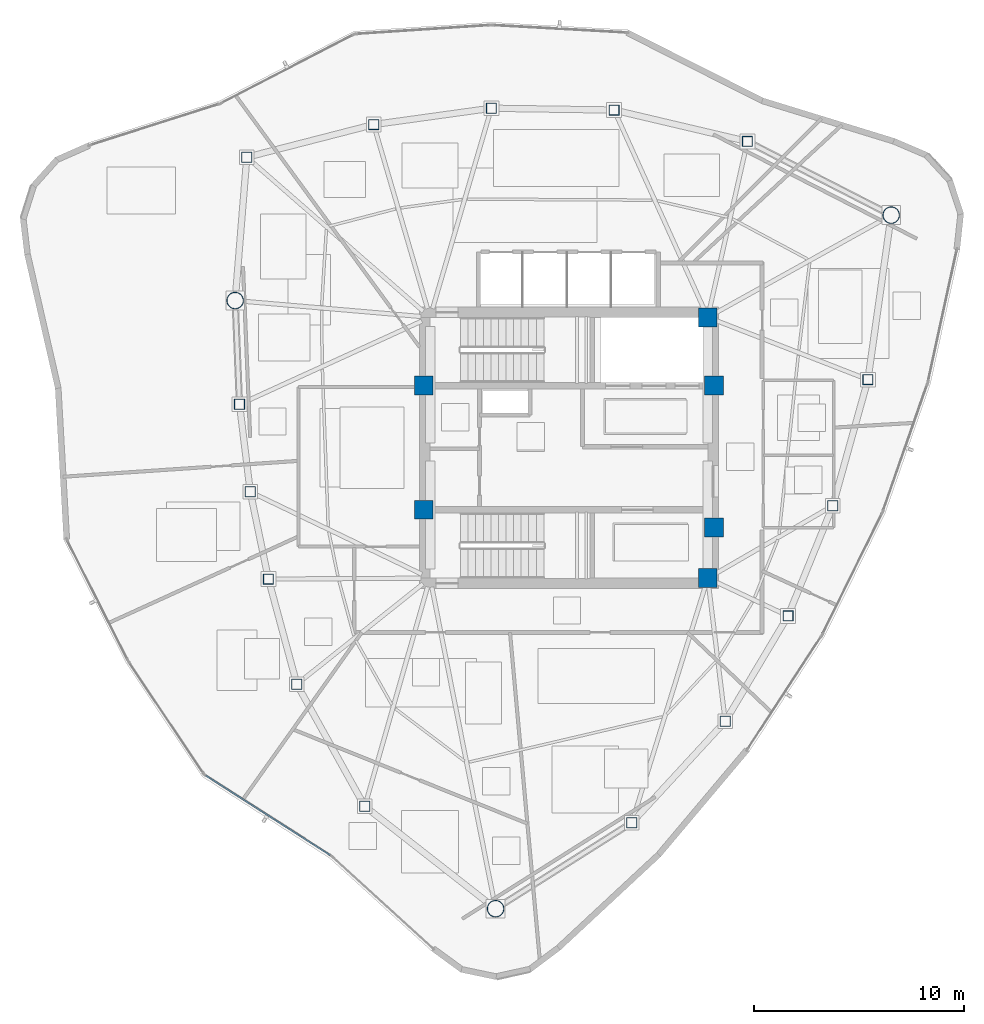
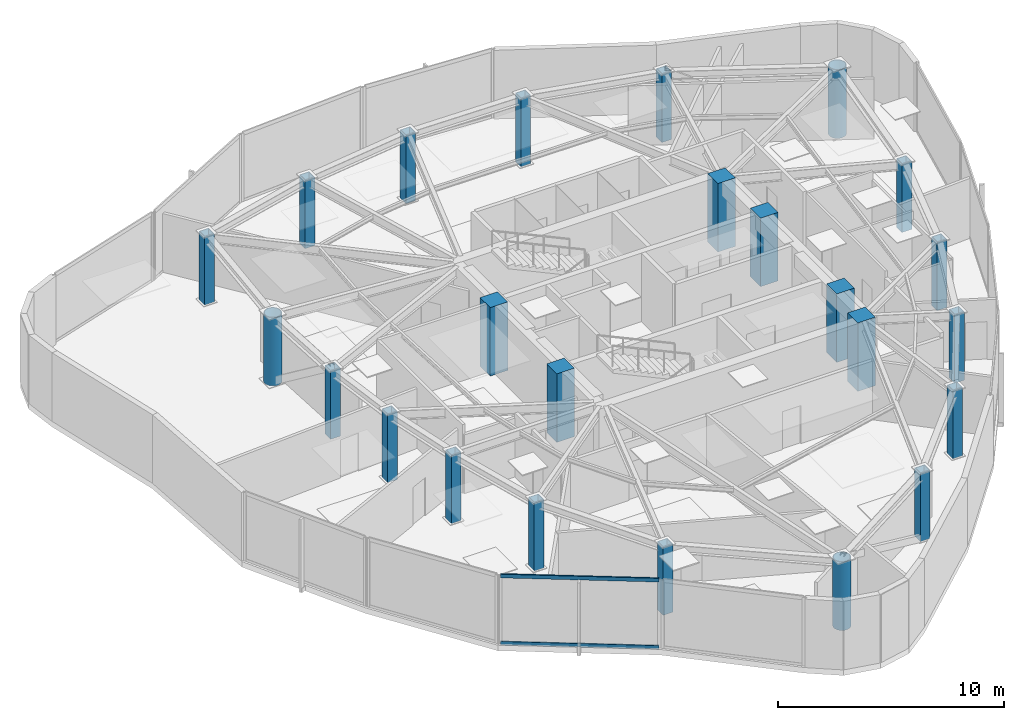
# One storey, part 1 of 13: 24 columns, 2 members, 1 element without a shape of its own.
"""IFC4 building model written with IfcOpenShell, lengths in metres."""

from ifc_helpers import new_model, si_unit, direction, frame, origin, origin_2d, place, context, subcontext, project, spatial, rectangle, hollow_rectangle, hollow_circle, extrude, source, transform, mapped, material, layer, layer_set, material_profile, profile_set, type_object, type_shapes, element, aggregate, save


model = new_model("IFC4")

# Units and contexts
model_context = context("Model", 3, precision=1e-05, world=origin(), true_north=direction((0.0, 1.0)))
body_context = subcontext(model_context, "Body", "Model", "MODEL_VIEW")
ifc_project = project(units=[si_unit("LENGTHUNIT", "METRE"), si_unit("AREAUNIT", "SQUARE_METRE"), si_unit("VOLUMEUNIT", "CUBIC_METRE"), si_unit("PLANEANGLEUNIT", "RADIAN"), si_unit("MASSUNIT", "GRAM", prefix="KILO")], contexts=[model_context])

# Site, building, storey
site_placement = place(None, origin())
site = spatial("IfcSite", under=ifc_project, at=site_placement, CompositionType="ELEMENT")
building_placement = place(site_placement, origin())
building = spatial("IfcBuilding", under=site, at=building_placement, Name="Tavelor Broadcast Tower", CompositionType="ELEMENT")
storey_placement = place(building_placement, frame((0.0, 0.0, 297.5)))
storey = spatial("IfcBuildingStorey", under=building, at=storey_placement, Name="L71", CompositionType="ELEMENT", Elevation=297.5)

# Columns
ifc_material_1 = material(Name="Concrete C50/60", Category="concrete")
ifc_material_profile_1 = material_profile(ifc_material_1, rectangle(XDim=0.89990234375, YDim=0.89990234375, at=origin_2d()), Name="RC 900x900")
ifc_profile_set_1 = profile_set([ifc_material_profile_1], Name="Concrete C50/60")
column_type_1 = type_object("IfcColumnType", Name="Core Embedded Composite Column RC900", PredefinedType="COLUMN", material=ifc_profile_set_1)
for number, where, z_axis, x_axis, name in (
    (1, (43.10009765625, 47.949951171875, 0.0), (0.0, 0.0, 1.0), (1.0, 0.0, 0.0), "L71 Core Embedded Column 1"),
    (2, (56.89990234375, 47.949951171875, 0.0), (0.0, 0.0, 1.0), (1.0, 0.0, 0.0), "L71 Core Embedded Column 2"),
    (3, (56.60009765625, 51.199951171875, 0.0), (0.0, 0.0, 1.0), (1.0, 0.0, 0.0), "L71 Core Embedded Column 3"),
    (4, (43.10009765625, 42.050048828125, 0.0), (0.0, 0.0, 1.0), (1.0, 0.0, 0.0), "L71 Core Embedded Column 4"),
    (5, (56.89990234375, 41.199951171875, 0.0), (0.0, 0.0, 1.0), (1.0, 0.0, 0.0), "L71 Core Embedded Column 5"),
    (6, (56.60009765625, 38.800048828125, 0.0), (0.0, 0.0, 1.0), (1.0, 0.0, 0.0), "L71 Core Embedded Column 6"),
):
    element("IfcColumn", number, at=place(storey_placement, frame(where, z_axis=z_axis, x_axis=x_axis)), inside=storey, type_object=column_type_1, Name=name, PredefinedType="COLUMN", context=body_context, shape_type="SweptSolid", body=[
        extrude(rectangle(XDim=0.89990234375, YDim=0.89990234375, at=origin_2d()), origin(), (0.0, 0.0, 1.0), 3.699951171875),
    ])
ifc_material_2 = material(Name="Steel S460", Category="steel")
ifc_material_profile_2 = material_profile(ifc_material_2, hollow_rectangle(XDim=0.5, YDim=0.5, WallThickness=0.030029296875, at=origin_2d()), Name="SHS 500x500x30")
ifc_profile_set_2 = profile_set([ifc_material_profile_2], Name="Steel S460")
column_type_2 = type_object("IfcColumnType", Name="Perimeter Tube Column T7 SHS 500x500x30", PredefinedType="COLUMN", material=ifc_profile_set_2)
for number, where, z_axis, x_axis, name in (
    (7, (34.341552734375, 47.061279296875, 0.0), (0.0, 0.0, 1.0), (1.0, 0.0, 0.0), "L71 Perimeter Framed-Tube Column 02"),
    (8, (34.85400390625, 42.90185546875, 0.0), (0.0, 0.0, 1.0), (1.0, 0.0, 0.0), "L71 Perimeter Framed-Tube Column 03"),
    (9, (35.716552734375, 38.757080078125, 0.0), (0.0, 0.0, 1.0), (1.0, 0.0, 0.0), "L71 Perimeter Framed-Tube Column 04"),
    (10, (37.068115234375, 33.759521484375, 0.0), (0.0, 0.0, 1.0), (1.0, 0.0, 0.0), "L71 Perimeter Framed-Tube Column 05"),
    (11, (40.29638671875, 27.95361328125, 0.0), (0.0, 0.0, 1.0), (1.0, 0.0, 0.0), "L71 Perimeter Framed-Tube Column 06"),
    (12, (52.992919921875, 27.1767578125, 0.0), (0.0, 0.0, 1.0), (1.0, 0.0, 0.0), "L71 Perimeter Framed-Tube Column 08"),
    (13, (57.431396484375, 31.9921875, 0.0), (0.0, 0.0, 1.0), (1.0, 0.0, 0.0), "L71 Perimeter Framed-Tube Column 09"),
    (14, (60.41748046875, 37.00439453125, 0.0), (0.0, 0.0, 1.0), (1.0, 0.0, 0.0), "L71 Perimeter Framed-Tube Column 10"),
    (15, (62.543701171875, 42.240478515625, 0.0), (0.0, 0.0, 1.0), (1.0, 0.0, 0.0), "L71 Perimeter Framed-Tube Column 11"),
    (16, (64.21435546875, 48.2373046875, 0.0), (0.0, 0.0, 1.0), (1.0, 0.0, 0.0), "L71 Perimeter Framed-Tube Column 12"),
    (17, (58.485595703125, 59.55712890625, 0.0), (0.0, 0.0, 1.0), (1.0, 0.0, 0.0), "L71 Perimeter Framed-Tube Column 14"),
    (18, (52.147216796875, 61.05078125, 0.0), (0.0, 0.0, 1.0), (1.0, 0.0, 0.0), "L71 Perimeter Framed-Tube Column 15"),
    (19, (46.3154296875, 61.13720703125, 0.0), (0.0, 0.0, 1.0), (1.0, 0.0, 0.0), "L71 Perimeter Framed-Tube Column 16"),
    (20, (40.718017578125, 60.36083984375, 0.0), (0.0, 0.0, 1.0), (1.0, 0.0, 0.0), "L71 Perimeter Framed-Tube Column 17"),
    (21, (34.689208984375, 58.80908203125, 0.0), (0.0, 0.0, 1.0), (1.0, 0.0, 0.0), "L71 Perimeter Framed-Tube Column 18"),
):
    element("IfcColumn", number, at=place(storey_placement, frame(where, z_axis=z_axis, x_axis=x_axis)), inside=storey, type_object=column_type_2, Name=name, PredefinedType="COLUMN", context=body_context, shape_type="SweptSolid", body=[
        extrude(hollow_rectangle(XDim=0.5, YDim=0.5, WallThickness=0.030029296875, at=origin_2d()), origin(), (0.0, 0.0, 1.0), 3.699951171875),
    ])
ifc_material_profile_3 = material_profile(ifc_material_2, hollow_circle(Radius=0.406494140625, WallThickness=0.035888671875, at=origin_2d()), Name="CHS 813x36")
ifc_profile_set_3 = profile_set([ifc_material_profile_3], Name="Steel S460")
column_type_3 = type_object("IfcColumnType", Name="Tower Mega Column T7 CHS 813x36", PredefinedType="COLUMN", material=ifc_profile_set_3)
for number, where, z_axis, x_axis, name in (
    (22, (34.134765625, 51.995849609375, 0.0), (0.0, 0.0, 1.0), (1.0, 0.0, 0.0), "L71 Tower Corner Mega Column 01"),
    (23, (46.5146484375, 23.08740234375, 0.0), (0.0, 0.0, 1.0), (1.0, 0.0, 0.0), "L71 Tower Corner Mega Column 07"),
    (24, (65.319580078125, 56.0556640625, 0.0), (0.0, 0.0, 1.0), (1.0, 0.0, 0.0), "L71 Tower Corner Mega Column 13"),
):
    element("IfcColumn", number, at=place(storey_placement, frame(where, z_axis=z_axis, x_axis=x_axis)), inside=storey, type_object=column_type_3, Name=name, PredefinedType="COLUMN", context=body_context, shape_type="SweptSolid", body=[
        extrude(hollow_circle(Radius=0.406494140625, WallThickness=0.035888671875, at=origin_2d()), origin(), (0.0, 0.0, 1.0), 3.699951171875),
    ])

# Curtain wall, members
ifc_material_3 = material(Name="Architectural Anodized Aluminium", Category="aluminium")
ifc_layer = layer(ifc_material_3, 0.199951171875)
ifc_layer_set = layer_set([ifc_layer], Name="Architectural Anodized Aluminium")
curtain_wall_type = type_object("IfcCurtainWallType", Name="Tower High-Zone Triple-Glazed Curtain Wall CW04", PredefinedType="NOTDEFINED", material=ifc_layer_set)
curtain_wall_placement = place(storey_placement, origin())
curtain_wall = element("IfcCurtainWall", 25, at=curtain_wall_placement, inside=storey, type_object=curtain_wall_type, Name="L71 Curtain Wall CW04 Run 783", PredefinedType="NOTDEFINED")
ifc_material_profile_4 = material_profile(ifc_material_3, hollow_rectangle(XDim=0.070068359375, YDim=0.199951171875, WallThickness=0.02197265625, at=origin_2d()), Name="RHS 70x200x22")
ifc_profile_set_4 = profile_set([ifc_material_profile_4], Name="Architectural Anodized Aluminium")
member_type = type_object("IfcMemberType", Name="CW04 Extruded Aluminium Transom 70x200", PredefinedType="USERDEFINED", material=ifc_profile_set_4)
shared_shape = source(origin(), body_context, "Body", "SweptSolid", [
    extrude(hollow_rectangle(XDim=0.070068359375, YDim=0.199951171875, WallThickness=0.02197265625, at=origin_2d()), origin(), (0.0, 0.0, 1.0), 7.025634765625),
])
type_shapes(member_type, [shared_shape])
member_1_placement = place(storey_placement, frame((32.736083984375, 29.420654296875, 0.034912109375), z_axis=(0.842125586548, -0.539281463136, 0.0), x_axis=(0.539281463136, 0.842125586548, 0.0)))
member_1 = element("IfcMember", 26, at=member_1_placement, type_object=member_type, Name="CW04 transom 1.1", ObjectType="TRANSOM", PredefinedType="USERDEFINED", context=body_context, shape_type="MappedRepresentation", body=[
    mapped(shared_shape, transform((0.0, 0.0, 0.0), scale=1.0)),
])
member_2_placement = place(storey_placement, frame((32.736083984375, 29.420654296875, 3.6650390625), z_axis=(0.842125586548, -0.539281463136, 0.0), x_axis=(0.539281463136, 0.842125586548, 0.0)))
member_2 = element("IfcMember", 27, at=member_2_placement, type_object=member_type, Name="CW04 transom 1.2", ObjectType="TRANSOM", PredefinedType="USERDEFINED", context=body_context, shape_type="MappedRepresentation", body=[
    mapped(shared_shape, transform((0.0, 0.0, 0.0), scale=1.0)),
])
aggregate(curtain_wall, [member_1, member_2])

save(model, "model.ifc")
